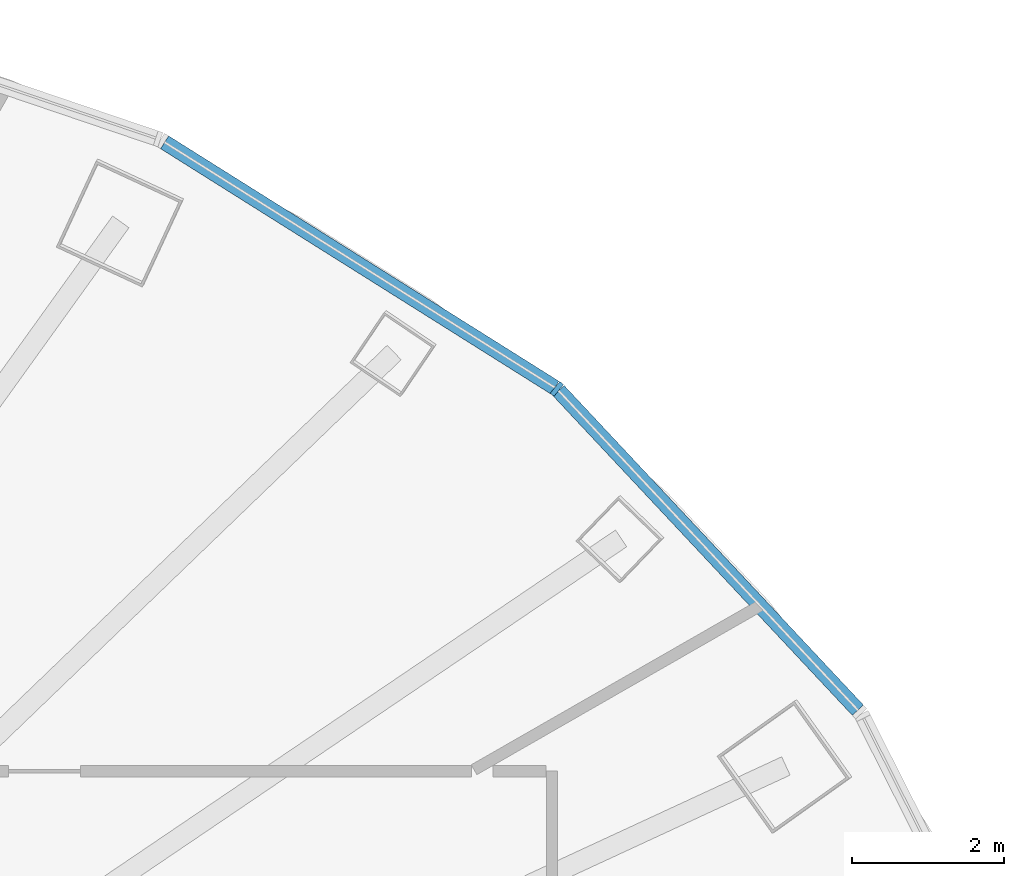
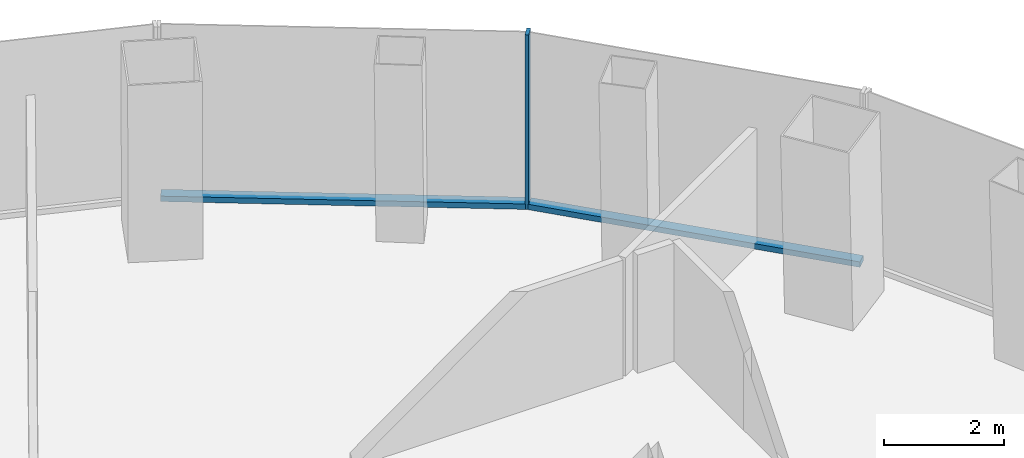
# One storey, part 6 of 11: 3 members, 1 element without a shape of its own.
"""IFC4 building model written with IfcOpenShell, lengths in metres."""

from ifc_helpers import new_model, si_unit, direction, frame, origin, origin_2d, place, context, subcontext, project, spatial, rectangle, extrude, material, layer, layer_set, material_profile, profile_set, type_object, element, aggregate, save


model = new_model("IFC4")

# Units and contexts
model_context = context("Model", 3, precision=1e-05, world=origin(), true_north=direction((0.0, 1.0)))
body_context = subcontext(model_context, "Body", "Model", "MODEL_VIEW")
ifc_project = project(units=[si_unit("LENGTHUNIT", "METRE"), si_unit("AREAUNIT", "SQUARE_METRE"), si_unit("VOLUMEUNIT", "CUBIC_METRE"), si_unit("PLANEANGLEUNIT", "RADIAN"), si_unit("MASSUNIT", "GRAM", prefix="KILO")], contexts=[model_context])

# Site, building, storey
site_placement = place(None, origin())
site = spatial("IfcSite", under=ifc_project, at=site_placement, CompositionType="ELEMENT")
building_placement = place(site_placement, origin())
building = spatial("IfcBuilding", under=site, at=building_placement, Name="Siaravel Broadcast Tower", CompositionType="ELEMENT")
storey_placement = place(building_placement, frame((0.0, 0.0, 126.699951171875)))
storey = spatial("IfcBuildingStorey", under=building, at=storey_placement, Name="L30", CompositionType="ELEMENT", Elevation=126.699951171875)

# Curtain wall, members
ifc_material = material(Name="Aluminium 6063-T6", Category="aluminium")
ifc_layer = layer(ifc_material, 0.199951171875)
ifc_layer_set = layer_set([ifc_layer], Name="Aluminium 6063-T6")
curtain_wall_type = type_object("IfcCurtainWallType", Name="Unitised curtain wall, zone 2", PredefinedType="NOTDEFINED", material=ifc_layer_set)
curtain_wall_placement = place(storey_placement, origin())
curtain_wall = element("IfcCurtainWall", 1, at=curtain_wall_placement, inside=storey, type_object=curtain_wall_type, Name="L30 Unitised curtain wall, zone 2 02", PredefinedType="NOTDEFINED")
ifc_material_profile_1 = material_profile(ifc_material, rectangle(XDim=0.199951171875, YDim=0.06494140625, at=origin_2d()))
ifc_profile_set_1 = profile_set([ifc_material_profile_1], Name="Aluminium 6063-T6")
member_type_1 = type_object("IfcMemberType", Name="CW-Z2 mullion", PredefinedType="MULLION", material=ifc_profile_set_1)
member_1_placement = place(storey_placement, frame((17.86572265625, 14.646728515625, 0.0), z_axis=(0.0, 0.0, 1.0), x_axis=(-0.636218518, -0.771508909, 0.0)))
member_1 = element("IfcMember", 2, at=member_1_placement, type_object=member_type_1, Name="CW-Z2 mullion 2", PredefinedType="MULLION", context=body_context, shape_type="SweptSolid", body=[
    extrude(rectangle(XDim=0.199951171875, YDim=0.06494140625, at=origin_2d()), origin(), (0.0, 0.0, 1.0), 3.550048828125),
])
ifc_material_profile_2 = material_profile(ifc_material, rectangle(XDim=0.199951171875, YDim=0.110107421875, at=origin_2d()))
ifc_profile_set_2 = profile_set([ifc_material_profile_2], Name="Aluminium 6063-T6")
member_type_2 = type_object("IfcMemberType", Name="CW-Z2 transom", PredefinedType="USERDEFINED", material=ifc_profile_set_2)
member_2_placement = place(storey_placement, frame((21.83837890625, 10.40576171875, 0.054931640625), z_axis=(-0.683640317, 0.729819099, 0.0), x_axis=(-0.729819099, -0.683640317, 0.0)))
member_2 = element("IfcMember", 3, at=member_2_placement, type_object=member_type_2, Name="CW-Z2 transom 1", ObjectType="TRANSOM", PredefinedType="USERDEFINED", context=body_context, shape_type="SweptSolid", body=[
    extrude(rectangle(XDim=0.199951171875, YDim=0.110107421875, at=origin_2d()), origin(), (0.0, 0.0, 1.0), 5.778564453125),
])
member_3_placement = place(storey_placement, frame((17.838134765625, 14.6640625, 0.054931640625), z_axis=(-0.846658761, 0.532136207, 0.0), x_axis=(-0.532136207, -0.846658761, 0.0)))
member_3 = element("IfcMember", 4, at=member_3_placement, type_object=member_type_2, Name="CW-Z2 transom 2", ObjectType="TRANSOM", PredefinedType="USERDEFINED", context=body_context, shape_type="SweptSolid", body=[
    extrude(rectangle(XDim=0.199951171875, YDim=0.110107421875, at=origin_2d()), origin(), (0.0, 0.0, 1.0), 6.083984375),
])
aggregate(curtain_wall, [member_1, member_2, member_3])

save(model, "model.ifc")
